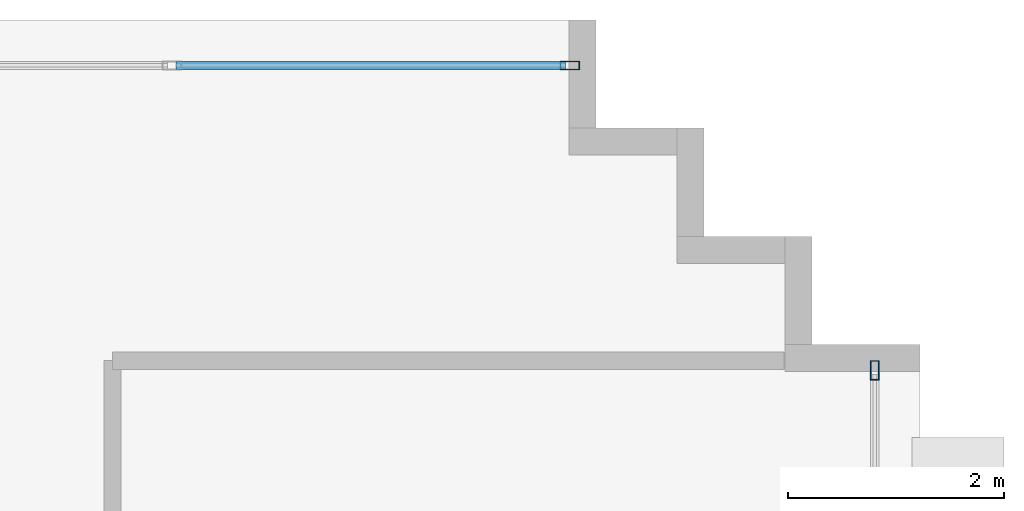
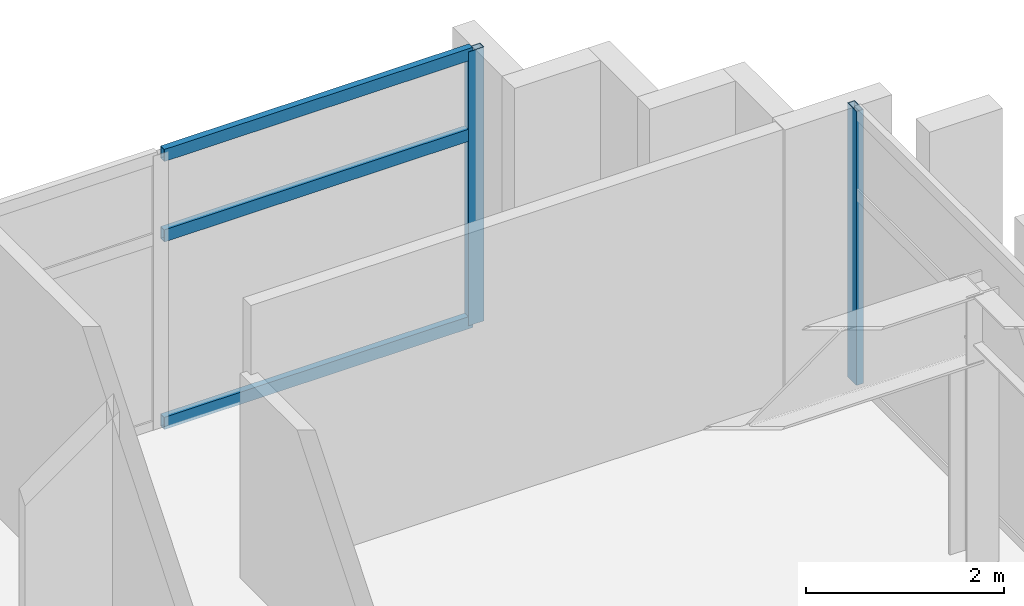
# One storey, part 10 of 15: 5 members, 2 elements without a shape of their own.
"""IFC4 building model written with IfcOpenShell, lengths in metres."""

import ifcopenshell
import ifcopenshell.guid

model = None  # the IFC model being written
_history = None  # IfcOwnerHistory: only IFC2X3 demands one
_inside = {}  # id of a spatial element -> (the spatial element, [elements in it])
_under = {}  # id of a project, library or spatial element -> (it, [spatial elements below it])
_declared = {}  # id of a project -> (the project, [libraries it declares])
_typed = {}  # id of a type object -> (the type object, [elements of that type])
_made_of = {}  # id of a material, layer set ... -> (it, [elements and type objects made of it])


def new_model(schema):
    """Start an empty IFC model of exactly this schema.

    Asked for "IFC4X3", IfcOpenShell would pick the latest addendum, in which some entities
    have other attributes; the version numbers below select the first issue.
    IFC2X3 requires an IfcOwnerHistory on every rooted entity: one is made here for all.
    """
    global model, _history
    if schema == "IFC4X3":
        model = ifcopenshell.file(schema_version=(4, 3, 0, 0))
    else:
        model = ifcopenshell.file(schema=schema)
    _inside.clear()
    _under.clear()
    _declared.clear()
    _typed.clear()
    _made_of.clear()
    _history = None
    if model.schema == "IFC2X3":
        org = make("IfcOrganization", Name="unknown")
        user = make(
            "IfcPersonAndOrganization",
            ThePerson=make("IfcPerson", FamilyName="unknown"),
            TheOrganization=org,
        )
        app = make(
            "IfcApplication",
            ApplicationDeveloper=org,
            Version="unknown",
            ApplicationFullName="unknown",
            ApplicationIdentifier="unknown",
        )
        _history = make(
            "IfcOwnerHistory",
            OwningUser=user,
            OwningApplication=app,
            ChangeAction="ADDED",
            CreationDate=0,
        )
    return model


def make(cls, **values):
    """One entity of the class cls with the attributes given. An attribute that is None is left unset."""
    return model.create_entity(
        cls, **{name: value for name, value in values.items() if value is not None}
    )


def rooted(cls, **values):
    """An entity with a GlobalId (a new one), such as an element, a storey or a relation."""
    return make(cls, GlobalId=ifcopenshell.guid.new(), OwnerHistory=_history, **values)


def si_unit(unit_type, name, prefix=None):
    """IfcSIUnit, for example si_unit("LENGTHUNIT", "METRE", prefix="MILLI")."""
    return make("IfcSIUnit", UnitType=unit_type, Prefix=prefix, Name=name)


def assignment(units):
    """IfcUnitAssignment: the units of a project."""
    return None if units is None else make("IfcUnitAssignment", Units=units)


def point(xyz):
    """IfcCartesianPoint."""
    return None if xyz is None else make("IfcCartesianPoint", Coordinates=xyz)


def direction(xyz):
    """IfcDirection."""
    return None if xyz is None else make("IfcDirection", DirectionRatios=xyz)


def frame(location, z_axis=None, x_axis=None):
    """IfcAxis2Placement3D, a coordinate frame: its origin and axes. An axis left out is left unset."""
    return make(
        "IfcAxis2Placement3D",
        Location=point(location),
        Axis=direction(z_axis),
        RefDirection=direction(x_axis),
    )


def frame_2d(location, x_axis=None):
    """IfcAxis2Placement2D, a coordinate frame in the plane: its origin and x axis."""
    return make(
        "IfcAxis2Placement2D", Location=point(location), RefDirection=direction(x_axis)
    )


def origin():
    """The frame at (0, 0, 0) with its axes left unset."""
    return frame((0.0, 0.0, 0.0))


def origin_2d():
    """The frame at (0, 0) in the plane with its x axis left unset."""
    return frame_2d((0.0, 0.0))


def place(relative_to, where):
    """IfcLocalPlacement: puts the frame where relative to a parent placement (None: the world)."""
    return make(
        "IfcLocalPlacement", PlacementRelTo=relative_to, RelativePlacement=where
    )


def context(
    kind, dimensions, precision=None, world=None, true_north=None, identifier=None
):
    """IfcGeometricRepresentationContext, for example the 3D "Model" context."""
    return make(
        "IfcGeometricRepresentationContext",
        ContextIdentifier=identifier,
        ContextType=kind,
        CoordinateSpaceDimension=dimensions,
        Precision=precision,
        WorldCoordinateSystem=world,
        TrueNorth=true_north,
    )


def subcontext(parent, identifier, kind, view, scale=None):
    """IfcGeometricRepresentationSubContext, for example "Body" below "Model"."""
    return make(
        "IfcGeometricRepresentationSubContext",
        ContextIdentifier=identifier,
        ContextType=kind,
        ParentContext=parent,
        TargetScale=scale,
        TargetView=view,
    )


def project(units=None, contexts=None):
    """IfcProject with its units and contexts."""
    return rooted(
        "IfcProject",
        Name="project",
        RepresentationContexts=contexts,
        UnitsInContext=assignment(units),
    )


def spatial(cls, under=None, at=None, **own):
    """A site, building, storey or space (cls), placed at a placement, below another one or the project."""
    s = rooted(cls, ObjectPlacement=at, **own)
    if under is not None:
        _under.setdefault(under.id(), (under, []))[1].append(s)
    return s


def profile(cls, at=None, kind="AREA", **sizes):
    """A parametric profile (cls). Its sizes go by their IFC names, for example OverallWidth=200.0."""
    return make(cls, ProfileType=kind, Position=at, **sizes)


def hollow_rectangle(**sizes):
    """IfcRectangleHollowProfileDef."""
    return profile("IfcRectangleHollowProfileDef", **sizes)


def extrude(swept, where, along, depth):
    """IfcExtrudedAreaSolid: the profile swept, set in the frame where, extruded along a direction by depth."""
    return make(
        "IfcExtrudedAreaSolid",
        SweptArea=swept,
        Position=where,
        ExtrudedDirection=direction(along),
        Depth=depth,
    )


def shape(context_of_items, identifier, shape_type, items):
    """IfcShapeRepresentation: the items that make up one representation, for example the "Body"."""
    return make(
        "IfcShapeRepresentation",
        ContextOfItems=context_of_items,
        RepresentationIdentifier=identifier,
        RepresentationType=shape_type,
        Items=items,
    )


def source(mapping_origin, context_of_items, identifier, shape_type, items):
    """IfcRepresentationMap: a shape defined once, which mapped items show again and again."""
    return make(
        "IfcRepresentationMap",
        MappingOrigin=mapping_origin,
        MappedRepresentation=shape(context_of_items, identifier, shape_type, items),
    )


def transform(
    local_origin,
    x_axis=None,
    y_axis=None,
    z_axis=None,
    scale=None,
    scale2=None,
    scale3=None,
    uniform=True,
):
    """IfcCartesianTransformationOperator3D, or its non-uniform kind. x_axis, y_axis, z_axis: its Axis1, 2, 3."""
    if uniform:
        return make(
            "IfcCartesianTransformationOperator3D",
            Axis1=direction(x_axis),
            Axis2=direction(y_axis),
            LocalOrigin=point(local_origin),
            Scale=scale,
            Axis3=direction(z_axis),
        )
    return make(
        "IfcCartesianTransformationOperator3DnonUniform",
        Axis1=direction(x_axis),
        Axis2=direction(y_axis),
        LocalOrigin=point(local_origin),
        Scale=scale,
        Axis3=direction(z_axis),
        Scale2=scale2,
        Scale3=scale3,
    )


def mapped(mapping_source, mapping_target):
    """IfcMappedItem: shows the shape of a source again, moved by a transform."""
    return make(
        "IfcMappedItem", MappingSource=mapping_source, MappingTarget=mapping_target
    )


def material(Name=None, Category=None):
    """IfcMaterial."""
    return make("IfcMaterial", Name=Name, Category=Category)


def layer(
    of_material, thickness, ventilated=None, Name=None, Category=None, Priority=None
):
    """IfcMaterialLayer: one layer of a wall or slab, of a material (None: an air gap)."""
    return make(
        "IfcMaterialLayer",
        Material=of_material,
        LayerThickness=thickness,
        IsVentilated=ventilated,
        Name=Name,
        Category=Category,
        Priority=Priority,
    )


def layer_set(layers, Name=None):
    """IfcMaterialLayerSet."""
    return make("IfcMaterialLayerSet", MaterialLayers=layers, LayerSetName=Name)


def material_profile(
    of_material, cross_section, Name=None, Category=None, Priority=None
):
    """IfcMaterialProfile: a cross section and its material."""
    return make(
        "IfcMaterialProfile",
        Name=Name,
        Material=of_material,
        Profile=cross_section,
        Priority=Priority,
        Category=Category,
    )


def profile_set(profiles, Name=None, composite=None):
    """IfcMaterialProfileSet."""
    return make(
        "IfcMaterialProfileSet",
        Name=Name,
        MaterialProfiles=profiles,
        CompositeProfile=composite,
    )


def made_of(thing, what):
    """Note that an element or type object is made of a material, layer set ...; save() writes the relation."""
    if what is not None:
        _made_of.setdefault(what.id(), (what, []))[1].append(thing)
    return thing


def type_object(cls, material=None, **own):
    """A type object (cls), such as IfcWallType, which elements share."""
    return made_of(rooted(cls, **own), material)


def element(
    cls,
    number,
    at=None,
    inside=None,
    cuts=None,
    type_object=None,
    material=None,
    context=None,
    identifier="Body",
    shape_type=None,
    held_by="IfcProductDefinitionShape",
    body=None,
    shapes=None,
    **own,
):
    """One element of the class cls, such as IfcWall. Its Tag is "e" and its number.

    at: its placement. inside: the storey or other place that contains it. cuts: it is an
    opening in that element (IfcRelVoidsElement). A single representation is given by context,
    identifier, shape_type and body (its items); several are given by shapes. held_by: the class
    of the entity that holds the representations. save() writes the other relations.
    """
    e = rooted(cls, Tag="e%d" % number, ObjectPlacement=at, **own)
    if body is not None:
        shapes = [shape(context, identifier, shape_type, body)]
    if shapes is not None:
        e.Representation = make(held_by, Representations=shapes)
    if inside is not None:
        _inside.setdefault(inside.id(), (inside, []))[1].append(e)
    if cuts is not None:
        rooted(
            "IfcRelVoidsElement", RelatingBuildingElement=cuts, RelatedOpeningElement=e
        )
    if type_object is not None:
        _typed.setdefault(type_object.id(), (type_object, []))[1].append(e)
    return made_of(e, material)


def aggregate(whole, parts):
    """IfcRelAggregates: a whole, such as a stair, and the parts it consists of."""
    return rooted("IfcRelAggregates", RelatingObject=whole, RelatedObjects=parts)


def save(model, path):
    """Write the relations noted so far, then the file.

    IfcRelAggregates (storeys below a building ...), IfcRelContainedInSpatialStructure (elements
    in a storey), IfcRelDefinesByType, IfcRelAssociatesMaterial and IfcRelDeclares: one each for
    every whole, place, type object, material and project.
    """
    for whole, parts in _under.values():
        aggregate(whole, parts)
    for where, things in _inside.values():
        rooted(
            "IfcRelContainedInSpatialStructure",
            RelatedElements=things,
            RelatingStructure=where,
        )
    for kind, things in _typed.values():
        rooted("IfcRelDefinesByType", RelatedObjects=things, RelatingType=kind)
    for what, things in _made_of.values():
        rooted("IfcRelAssociatesMaterial", RelatedObjects=things, RelatingMaterial=what)
    for by, libraries in _declared.values():
        rooted("IfcRelDeclares", RelatingContext=by, RelatedDefinitions=libraries)
    model.write(path)


model = new_model("IFC4")

# Units and contexts
model_context = context("Model", 3, precision=1e-05, world=origin(), true_north=direction((0.0, 1.0)))
body_context = subcontext(model_context, "Body", "Model", "MODEL_VIEW")
ifc_project = project(units=[si_unit("LENGTHUNIT", "METRE"), si_unit("AREAUNIT", "SQUARE_METRE"), si_unit("VOLUMEUNIT", "CUBIC_METRE"), si_unit("PLANEANGLEUNIT", "RADIAN"), si_unit("MASSUNIT", "GRAM", prefix="KILO")], contexts=[model_context])

# Site, building, storey
site_placement = place(None, origin())
site = spatial("IfcSite", under=ifc_project, at=site_placement, CompositionType="ELEMENT")
building_placement = place(site_placement, origin())
building = spatial("IfcBuilding", under=site, at=building_placement, Name="Ocotamira Hotel", CompositionType="ELEMENT")
storey_placement = place(building_placement, frame((0.0, 0.0, 279.60009765625)))
storey = spatial("IfcBuildingStorey", under=building, at=storey_placement, Name="L71", CompositionType="ELEMENT", Elevation=279.60009765625)

# Curtain wall, member
ifc_material_1 = material(Name="Anodised pale-metal aluminium and solar glass", Category="aluminium")
ifc_layer = layer(ifc_material_1, 0.2099609375)
ifc_layer_set = layer_set([ifc_layer], Name="Anodised pale-metal aluminium and solar glass")
curtain_wall_type = type_object("IfcCurtainWallType", Name="CW-SYS7-PEAK", PredefinedType="NOTDEFINED", material=ifc_layer_set)
curtain_wall_1_placement = place(storey_placement, origin())
curtain_wall_1 = element("IfcCurtainWall", 1, at=curtain_wall_1_placement, inside=storey, type_object=curtain_wall_type, Name="L71 Curtain Wall CW-7 CW-L71-N", PredefinedType="NOTDEFINED")
ifc_material_2 = material(Name="Anodised pale-metal aluminium 6063-T6", Category="aluminium")
ifc_material_profile_1 = material_profile(ifc_material_2, hollow_rectangle(XDim=0.080078125, YDim=0.179931640625, WallThickness=0.006103515625, at=origin_2d()), Name="HSS180X80X6")
ifc_profile_set_1 = profile_set([ifc_material_profile_1], Name="Anodised pale-metal aluminium 6063-T6")
member_type_1 = type_object("IfcMemberType", Name="CWM-180X75", PredefinedType="MULLION", material=ifc_profile_set_1)
shared_shape_1 = source(origin(), body_context, "Body", "SweptSolid", [
    extrude(hollow_rectangle(XDim=0.080078125, YDim=0.179931640625, WallThickness=0.006103515625, at=origin_2d()), origin(), (0.0, 0.0, 1.0), 3.3798828125),
])
member_1_placement = place(storey_placement, frame((29.760009765625, 43.580078125, 0.0), z_axis=(0.0, 0.0, 1.0), x_axis=(0.0, 1.0, 0.0)))
member_1 = element("IfcMember", 2, at=member_1_placement, type_object=member_type_1, Name="CW-7 mullion 6", PredefinedType="MULLION", context=body_context, shape_type="MappedRepresentation", body=[
    mapped(shared_shape_1, transform((0.0, 0.0, 0.0), scale=1.0)),
])

curtain_wall_2_placement = place(storey_placement, origin())
curtain_wall_2 = element("IfcCurtainWall", 3, at=curtain_wall_2_placement, inside=storey, type_object=curtain_wall_type, Name="L71 Curtain Wall CW-7 CW-L71-E2", PredefinedType="NOTDEFINED")
member_2_placement = place(storey_placement, frame((32.580078125, 40.760009765625, 0.0), z_axis=(0.0, 0.0, 1.0), x_axis=(-1.0, 0.0, 0.0)))
member_2 = element("IfcMember", 4, at=member_2_placement, type_object=member_type_1, Name="CW-7 mullion 4", PredefinedType="MULLION", context=body_context, shape_type="MappedRepresentation", body=[
    mapped(shared_shape_1, transform((0.0, 0.0, 0.0), scale=1.0)),
])
aggregate(curtain_wall_2, [member_2])

# Member
ifc_material_profile_2 = material_profile(ifc_material_2, hollow_rectangle(XDim=0.074951171875, YDim=0.14990234375, WallThickness=0.006103515625, at=origin_2d()), Name="HSS150X75X6")
ifc_profile_set_2 = profile_set([ifc_material_profile_2], Name="Anodised pale-metal aluminium 6063-T6")
member_type_2 = type_object("IfcMemberType", Name="CWT-150X75", PredefinedType="USERDEFINED", material=ifc_profile_set_2)
shared_shape_2 = source(origin(), body_context, "Body", "SweptSolid", [
    extrude(hollow_rectangle(XDim=0.074951171875, YDim=0.14990234375, WallThickness=0.006103515625, at=origin_2d()), origin(), (0.0, 0.0, 1.0), 3.599853515625),
])
member_3_placement = place(storey_placement, frame((26.1201171875, 43.580078125, 0.037353515625), z_axis=(1.0, 0.0, 0.0), x_axis=(0.0, 1.0, 0.0)))
member_3 = element("IfcMember", 5, at=member_3_placement, type_object=member_type_2, Name="CW-7 transom 5.1", ObjectType="TRANSOM", PredefinedType="USERDEFINED", context=body_context, shape_type="MappedRepresentation", body=[
    mapped(shared_shape_2, transform((0.0, 0.0, 0.0), scale=1.0)),
])

member_4_placement = place(storey_placement, frame((26.1201171875, 43.580078125, 2.349853515625), z_axis=(1.0, 0.0, 0.0), x_axis=(0.0, 1.0, 0.0)))
member_4 = element("IfcMember", 6, at=member_4_placement, type_object=member_type_2, Name="CW-7 transom 5.2", ObjectType="TRANSOM", PredefinedType="USERDEFINED", context=body_context, shape_type="MappedRepresentation", body=[
    mapped(shared_shape_2, transform((0.0, 0.0, 0.0), scale=1.0)),
])

member_5_placement = place(storey_placement, frame((26.1201171875, 43.580078125, 3.34228515625), z_axis=(1.0, 0.0, 0.0), x_axis=(0.0, 1.0, 0.0)))
member_5 = element("IfcMember", 7, at=member_5_placement, type_object=member_type_2, Name="CW-7 transom 5.3", ObjectType="TRANSOM", PredefinedType="USERDEFINED", context=body_context, shape_type="MappedRepresentation", body=[
    mapped(shared_shape_2, transform((0.0, 0.0, 0.0), scale=1.0)),
])

aggregate(curtain_wall_1, [member_1, member_3, member_4, member_5])

save(model, "model.ifc")
